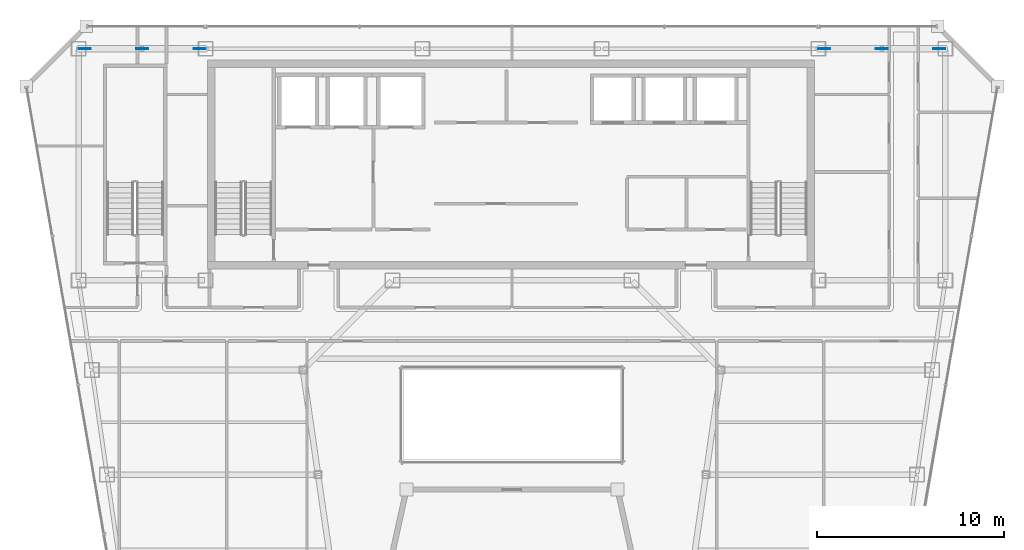
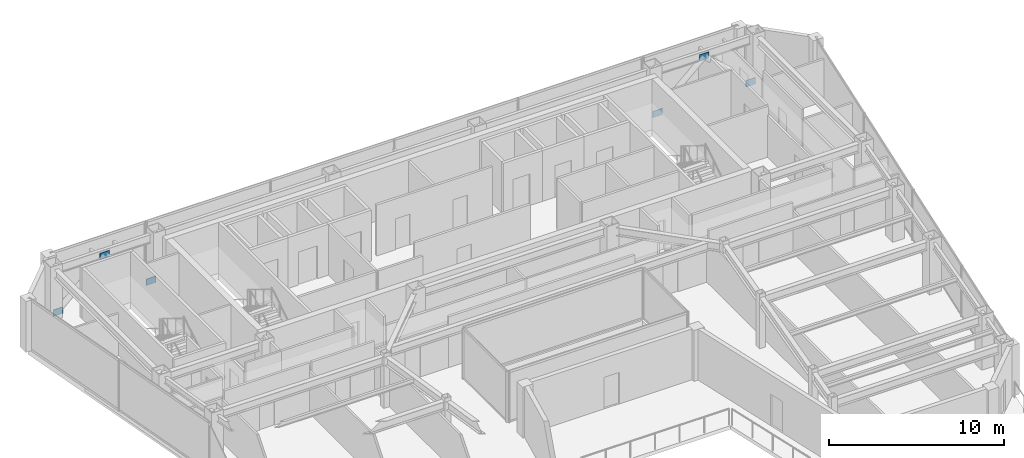
# One storey, part 23 of 31: 6 plates.
"""IFC4 building model written with IfcOpenShell, lengths in metres."""

from ifc_helpers import new_model, si_unit, direction, frame, origin, origin_2d, place, context, subcontext, project, spatial, rectangle, extrude, material, layer, layer_set, type_object, element, save


model = new_model("IFC4")

# Units and contexts
model_context = context("Model", 3, precision=1e-05, world=origin(), true_north=direction((0.0, 1.0)))
body_context = subcontext(model_context, "Body", "Model", "MODEL_VIEW")
ifc_project = project(units=[si_unit("LENGTHUNIT", "METRE"), si_unit("AREAUNIT", "SQUARE_METRE"), si_unit("VOLUMEUNIT", "CUBIC_METRE"), si_unit("PLANEANGLEUNIT", "RADIAN"), si_unit("MASSUNIT", "GRAM", prefix="KILO")], contexts=[model_context])

# Site, building, storey
site_placement = place(None, origin())
site = spatial("IfcSite", under=ifc_project, at=site_placement, CompositionType="ELEMENT")
building_placement = place(site_placement, origin())
building = spatial("IfcBuilding", under=site, at=building_placement, Name="Saevonmaru Cultural Tower", CompositionType="ELEMENT")
storey_placement = place(building_placement, frame((0.0, 0.0, 230.60009765625)))
storey = spatial("IfcBuildingStorey", under=building, at=storey_placement, Name="L53", CompositionType="ELEMENT", Elevation=230.60009765625)

# Plates
ifc_material = material(Name="Steel HSA600 (600 MPa)", Category="steel")
ifc_layer = layer(ifc_material, 0.0400390625, Name="Steel HSA600 (600 MPa)")
ifc_layer_set = layer_set([ifc_layer], Name="Steel HSA600 (600 MPa)")
plate_type = type_object("IfcPlateType", Name="PL-GUSSET-EXT", PredefinedType="USERDEFINED", material=ifc_layer_set)
for number, where, z_axis, x_axis, name in (
    (1, (10.199951171875, 54.800048828125, 2.89990234375), (0.0, 0.0, 1.0), (1.0, 0.0, 0.0), "L53 Perimeter Tube Gusset Plate"),
    (2, (7.1201171875, 54.800048828125, 0.02001953125), (0.0, 0.0, 1.0), (1.0, 0.0, 0.0), "L53 Perimeter Tube Gusset Plate"),
    (3, (13.280029296875, 54.800048828125, 0.02001953125), (0.0, 0.0, 1.0), (1.0, 0.0, 0.0), "L53 Perimeter Tube Gusset Plate"),
    (4, (49.800048828125, 54.800048828125, 2.89990234375), (0.0, 0.0, 1.0), (1.0, 0.0, 0.0), "L53 Perimeter Tube Gusset Plate"),
    (5, (46.719970703125, 54.800048828125, 0.02001953125), (0.0, 0.0, 1.0), (1.0, 0.0, 0.0), "L53 Perimeter Tube Gusset Plate"),
    (6, (52.8798828125, 54.800048828125, 0.02001953125), (0.0, 0.0, 1.0), (1.0, 0.0, 0.0), "L53 Perimeter Tube Gusset Plate"),
):
    element("IfcPlate", number, at=place(storey_placement, frame(where, z_axis=z_axis, x_axis=x_axis)), inside=storey, type_object=plate_type, Name=name, ObjectType="GUSSET_PLATE", PredefinedType="USERDEFINED", context=body_context, shape_type="SweptSolid", body=[
        extrude(rectangle(XDim=0.639892578125, YDim=0.0400390625, at=origin_2d()), origin(), (0.0, 0.0, 1.0), 0.43994140625),
    ])

save(model, "model.ifc")
